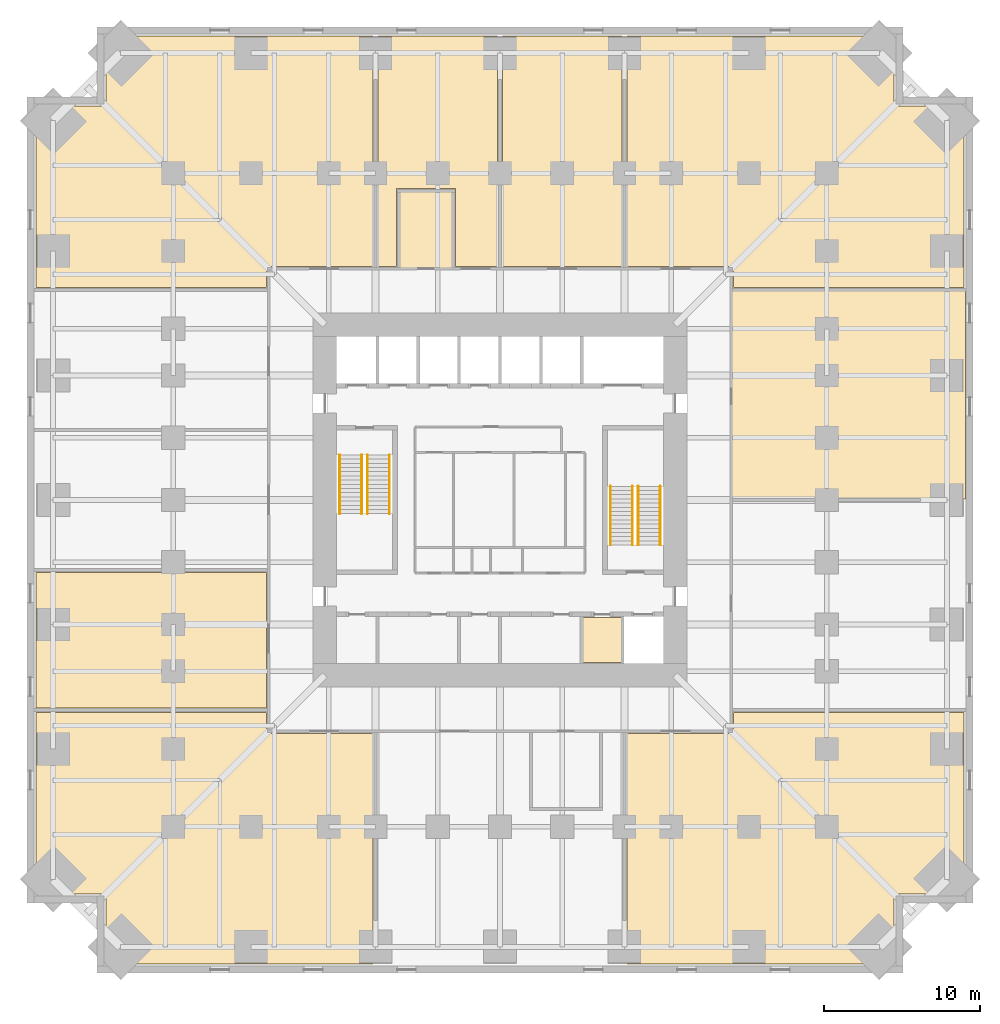
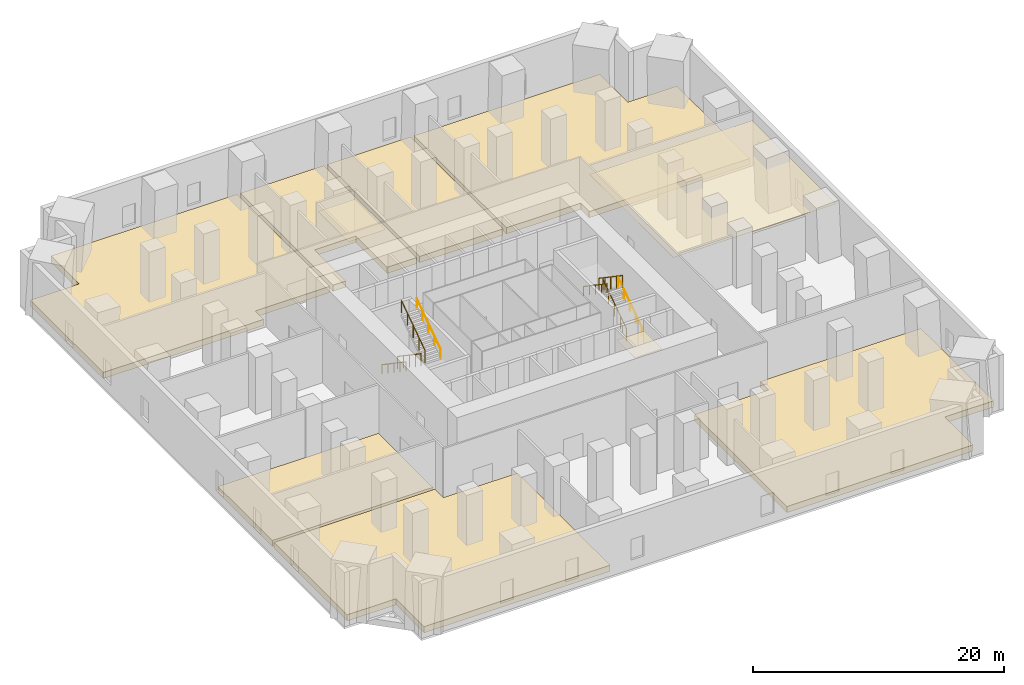
# One storey, part 8 of 8: 10 coverings, 8 railings.
"""IFC4 building model written with IfcOpenShell, lengths in metres."""

from ifc_helpers import new_model, si_unit, direction, frame, origin, origin_2d, place, context, subcontext, project, spatial, polyline, circle, outline, extrude, material, layer, layer_set, type_object, element, save


model = new_model("IFC4")

# Units and contexts
model_context = context("Model", 3, precision=1e-05, world=origin(), true_north=direction((0.0, 1.0)))
body_context = subcontext(model_context, "Body", "Model", "MODEL_VIEW")
ifc_project = project(units=[si_unit("LENGTHUNIT", "METRE"), si_unit("AREAUNIT", "SQUARE_METRE"), si_unit("VOLUMEUNIT", "CUBIC_METRE"), si_unit("PLANEANGLEUNIT", "RADIAN"), si_unit("MASSUNIT", "GRAM", prefix="KILO")], contexts=[model_context])

# Site, building, storey
site_placement = place(None, origin())
site = spatial("IfcSite", under=ifc_project, at=site_placement, CompositionType="ELEMENT")
building_placement = place(site_placement, origin())
building = spatial("IfcBuilding", under=site, at=building_placement, Name="Peilmerk Tower", CompositionType="ELEMENT")
storey_placement = place(building_placement, frame((0.0, 0.0, 54.0)))
storey = spatial("IfcBuildingStorey", under=building, at=storey_placement, Name="L10", CompositionType="ELEMENT", Elevation=54.0)

# Coverings
ifc_material_1 = material(Name="Mineral fibre ceiling tiles", Category="mineral")
ifc_layer_1 = layer(ifc_material_1, 0.02490234375)
ifc_layer_set_1 = layer_set([ifc_layer_1], Name="Mineral fibre ceiling tiles")
covering_type_1 = type_object("IfcCoveringType", Name="CL1 25 suspended ceiling", PredefinedType="CEILING", material=ifc_layer_set_1)
covering_1_placement = place(storey_placement, frame((0.0, 0.0, 4.375)))
element("IfcCovering", 1, at=covering_1_placement, inside=storey, type_object=covering_type_1, Name="Suspended ceiling Customer meeting room", PredefinedType="CEILING", context=body_context, shape_type="SweptSolid", body=[
    extrude(outline(polyline([(-3.050048828125, 14.89990234375), (-3.050048828125, 19.800048828125), (-6.449951171875, 19.800048828125), (-6.449951171875, 14.89990234375), (-3.050048828125, 14.89990234375)])), origin(), (0.0, 0.0, 1.0), 0.02490234375),
])
covering_2_placement = place(storey_placement, frame((0.0, 0.0, 4.375)))
element("IfcCovering", 2, at=covering_2_placement, inside=storey, type_object=covering_type_1, Name="Suspended ceiling LV switchboard room", PredefinedType="CEILING", context=body_context, shape_type="SweptSolid", body=[
    extrude(outline(polyline([(29.89990234375, 0.050048828125), (29.89990234375, 13.449951171875), (14.89990234375, 13.449951171875), (14.89990234375, 0.050048828125), (29.89990234375, 0.050048828125)])), origin(), (0.0, 0.0, 1.0), 0.02490234375),
])
covering_3_placement = place(storey_placement, frame((0.0, 0.0, 4.324951171875)))
element("IfcCovering", 3, at=covering_3_placement, inside=storey, type_object=covering_type_1, Name="Suspended ceiling Pantry", PredefinedType="CEILING", context=body_context, shape_type="SweptSolid", body=[
    extrude(outline(polyline([(7.823974609375, -10.448974609375), (7.823974609375, -7.551025390625), (5.301025390625, -7.551025390625), (5.301025390625, -10.448974609375), (7.823974609375, -10.448974609375)])), origin(), (0.0, 0.0, 1.0), 0.025146484375),
])

# Railings
ifc_material_2 = material(Name="Steel flat bar balustrade", Category="steel")
railing_type_1 = type_object("IfcRailingType", Name="GR1 1200 stair guard", PredefinedType="GUARDRAIL", material=ifc_material_2)
railing_1_placement = place(storey_placement, frame((-8.8798828125, 2.89990234375, 0.183349609375)))
element("IfcRailing", 4, at=railing_1_placement, inside=storey, type_object=railing_type_1, Name="Guard stair 1 L10", PredefinedType="GUARDRAIL", context=body_context, shape_type="SweptSolid", body=[
    extrude(circle(Radius=0.02392578125, at=origin_2d()), frame((0.0, 0.0, 1.17578125), z_axis=(0.0, -0.827293068839, 0.56177057439), x_axis=(1.0, 0.0, 0.0)), (0.0, 0.0, 1.0), 4.56884765625),
    extrude(circle(Radius=0.02099609375, at=origin_2d()), origin(), (0.0, 0.0, 1.0), 1.15185546875),
    extrude(circle(Radius=0.02099609375, at=origin_2d()), frame((0.0, -0.94482421875, 0.6416015625)), (0.0, 0.0, 1.0), 1.15185546875),
    extrude(circle(Radius=0.02099609375, at=origin_2d()), frame((0.0, -1.889892578125, 1.283203125)), (0.0, 0.0, 1.0), 1.15185546875),
    extrude(circle(Radius=0.02099609375, at=origin_2d()), frame((0.0, -2.8349609375, 1.925048828125)), (0.0, 0.0, 1.0), 1.15185546875),
    extrude(circle(Radius=0.02099609375, at=origin_2d()), frame((0.0, -3.77978515625, 2.566650390625)), (0.0, 0.0, 1.0), 1.15185546875),
])
for number, where, name in (
    (5, (-8.52001953125, -0.8798828125, 2.933349609375), "Guard stair 1 L10"),
    (6, (8.8798828125, -2.89990234375, 0.183349609375), "Guard stair 2 L10"),
):
    element("IfcRailing", number, at=place(storey_placement, frame(where)), inside=storey, type_object=railing_type_1, Name=name, PredefinedType="GUARDRAIL", context=body_context, shape_type="SweptSolid", body=[
        extrude(circle(Radius=0.02392578125, at=origin_2d()), frame((0.0, 0.0, 1.17578125), z_axis=(0.0, 0.827293068839, 0.56177057439), x_axis=(-1.0, 0.0, 0.0)), (0.0, 0.0, 1.0), 4.56884765625),
        extrude(circle(Radius=0.02099609375, at=origin_2d()), origin(), (0.0, 0.0, 1.0), 1.15185546875),
        extrude(circle(Radius=0.02099609375, at=origin_2d()), frame((0.0, 0.94482421875, 0.6416015625)), (0.0, 0.0, 1.0), 1.15185546875),
        extrude(circle(Radius=0.02099609375, at=origin_2d()), frame((0.0, 1.889892578125, 1.283203125)), (0.0, 0.0, 1.0), 1.15185546875),
        extrude(circle(Radius=0.02099609375, at=origin_2d()), frame((0.0, 2.8349609375, 1.925048828125)), (0.0, 0.0, 1.0), 1.15185546875),
        extrude(circle(Radius=0.02099609375, at=origin_2d()), frame((0.0, 3.77978515625, 2.566650390625)), (0.0, 0.0, 1.0), 1.15185546875),
    ])
railing_2_placement = place(storey_placement, frame((8.52001953125, 0.8798828125, 2.933349609375)))
element("IfcRailing", 7, at=railing_2_placement, inside=storey, type_object=railing_type_1, Name="Guard stair 2 L10", PredefinedType="GUARDRAIL", context=body_context, shape_type="SweptSolid", body=[
    extrude(circle(Radius=0.02392578125, at=origin_2d()), frame((0.0, 0.0, 1.17578125), z_axis=(0.0, -0.827293068839, 0.56177057439), x_axis=(1.0, 0.0, 0.0)), (0.0, 0.0, 1.0), 4.56884765625),
    extrude(circle(Radius=0.02099609375, at=origin_2d()), origin(), (0.0, 0.0, 1.0), 1.15185546875),
    extrude(circle(Radius=0.02099609375, at=origin_2d()), frame((0.0, -0.94482421875, 0.6416015625)), (0.0, 0.0, 1.0), 1.15185546875),
    extrude(circle(Radius=0.02099609375, at=origin_2d()), frame((0.0, -1.889892578125, 1.283203125)), (0.0, 0.0, 1.0), 1.15185546875),
    extrude(circle(Radius=0.02099609375, at=origin_2d()), frame((0.0, -2.8349609375, 1.925048828125)), (0.0, 0.0, 1.0), 1.15185546875),
    extrude(circle(Radius=0.02099609375, at=origin_2d()), frame((0.0, -3.77978515625, 2.566650390625)), (0.0, 0.0, 1.0), 1.15185546875),
])
ifc_material_3 = material(Name="Stainless steel tube", Category="steel")
railing_type_2 = type_object("IfcRailingType", Name="HR1 900 stair handrail", PredefinedType="HANDRAIL", material=ifc_material_3)
railing_3_placement = place(storey_placement, frame((-10.300048828125, 2.89990234375, 0.183349609375)))
element("IfcRailing", 8, at=railing_3_placement, inside=storey, type_object=railing_type_2, Name="Handrail stair 1 L10", PredefinedType="HANDRAIL", context=body_context, shape_type="SweptSolid", body=[
    extrude(circle(Radius=0.02392578125, at=origin_2d()), frame((0.0, 0.0, 0.8759765625), z_axis=(0.0, -0.827293068839, 0.56177057439), x_axis=(1.0, 0.0, 0.0)), (0.0, 0.0, 1.0), 4.56884765625),
    extrude(circle(Radius=0.02099609375, at=origin_2d()), origin(), (0.0, 0.0, 1.0), 0.851806640625),
    extrude(circle(Radius=0.02099609375, at=origin_2d()), frame((0.0, -0.94482421875, 0.6416015625)), (0.0, 0.0, 1.0), 0.851806640625),
    extrude(circle(Radius=0.02099609375, at=origin_2d()), frame((0.0, -1.889892578125, 1.283203125)), (0.0, 0.0, 1.0), 0.851806640625),
    extrude(circle(Radius=0.02099609375, at=origin_2d()), frame((0.0, -2.8349609375, 1.925048828125)), (0.0, 0.0, 1.0), 0.851806640625),
    extrude(circle(Radius=0.02099609375, at=origin_2d()), frame((0.0, -3.77978515625, 2.566650390625)), (0.0, 0.0, 1.0), 0.851806640625),
])
for number, where, name in (
    (9, (-7.10009765625, -0.8798828125, 2.933349609375), "Handrail stair 1 L10"),
    (10, (10.300048828125, -2.89990234375, 0.183349609375), "Handrail stair 2 L10"),
):
    element("IfcRailing", number, at=place(storey_placement, frame(where)), inside=storey, type_object=railing_type_2, Name=name, PredefinedType="HANDRAIL", context=body_context, shape_type="SweptSolid", body=[
        extrude(circle(Radius=0.02392578125, at=origin_2d()), frame((0.0, 0.0, 0.8759765625), z_axis=(0.0, 0.827293068839, 0.56177057439), x_axis=(-1.0, 0.0, 0.0)), (0.0, 0.0, 1.0), 4.56884765625),
        extrude(circle(Radius=0.02099609375, at=origin_2d()), origin(), (0.0, 0.0, 1.0), 0.851806640625),
        extrude(circle(Radius=0.02099609375, at=origin_2d()), frame((0.0, 0.94482421875, 0.6416015625)), (0.0, 0.0, 1.0), 0.851806640625),
        extrude(circle(Radius=0.02099609375, at=origin_2d()), frame((0.0, 1.889892578125, 1.283203125)), (0.0, 0.0, 1.0), 0.851806640625),
        extrude(circle(Radius=0.02099609375, at=origin_2d()), frame((0.0, 2.8349609375, 1.925048828125)), (0.0, 0.0, 1.0), 0.851806640625),
        extrude(circle(Radius=0.02099609375, at=origin_2d()), frame((0.0, 3.77978515625, 2.566650390625)), (0.0, 0.0, 1.0), 0.851806640625),
    ])
railing_4_placement = place(storey_placement, frame((7.10009765625, 0.8798828125, 2.933349609375)))
element("IfcRailing", 11, at=railing_4_placement, inside=storey, type_object=railing_type_2, Name="Handrail stair 2 L10", PredefinedType="HANDRAIL", context=body_context, shape_type="SweptSolid", body=[
    extrude(circle(Radius=0.02392578125, at=origin_2d()), frame((0.0, 0.0, 0.8759765625), z_axis=(0.0, -0.827293068839, 0.56177057439), x_axis=(1.0, 0.0, 0.0)), (0.0, 0.0, 1.0), 4.56884765625),
    extrude(circle(Radius=0.02099609375, at=origin_2d()), origin(), (0.0, 0.0, 1.0), 0.851806640625),
    extrude(circle(Radius=0.02099609375, at=origin_2d()), frame((0.0, -0.94482421875, 0.6416015625)), (0.0, 0.0, 1.0), 0.851806640625),
    extrude(circle(Radius=0.02099609375, at=origin_2d()), frame((0.0, -1.889892578125, 1.283203125)), (0.0, 0.0, 1.0), 0.851806640625),
    extrude(circle(Radius=0.02099609375, at=origin_2d()), frame((0.0, -2.8349609375, 1.925048828125)), (0.0, 0.0, 1.0), 0.851806640625),
    extrude(circle(Radius=0.02099609375, at=origin_2d()), frame((0.0, -3.77978515625, 2.566650390625)), (0.0, 0.0, 1.0), 0.851806640625),
])

# Coverings
ifc_material_4 = material(Name="Steel raised access floor panels on pedestals", Category="steel")
ifc_layer_2 = layer(ifc_material_4, 0.60009765625)
ifc_layer_set_2 = layer_set([ifc_layer_2], Name="Steel raised access floor panels on pedestals")
covering_type_2 = type_object("IfcCoveringType", Name="RF1 600 raised access floor", PredefinedType="FLOORING", material=ifc_layer_set_2)
covering_4_placement = place(storey_placement, origin())
element("IfcCovering", 12, at=covering_4_placement, inside=storey, type_object=covering_type_2, Name="Raised access floor Data suite A", PredefinedType="FLOORING", context=body_context, shape_type="SweptSolid", body=[
    extrude(outline(polyline([(-29.800048828125, 25.300048828125), (-29.800048828125, 13.64990234375), (-15.0, 13.64990234375), (-15.0, 15.0), (-8.14990234375, 15.0), (-8.14990234375, 29.800048828125), (-25.300048828125, 29.800048828125), (-25.300048828125, 25.300048828125), (-29.800048828125, 25.300048828125)])), origin(), (0.0, 0.0, 1.0), 0.60009765625),
])
covering_5_placement = place(storey_placement, origin())
element("IfcCovering", 13, at=covering_5_placement, inside=storey, type_object=covering_type_2, Name="Raised access floor Data suite B", PredefinedType="FLOORING", context=body_context, shape_type="SweptSolid", body=[
    extrude(outline(polyline([(-0.14990234375, 15.0), (-0.14990234375, 29.800048828125), (-7.85009765625, 29.800048828125), (-7.85009765625, 15.0), (-6.64990234375, 15.0), (-6.64990234375, 20.0), (-2.85009765625, 20.0), (-2.85009765625, 15.0), (-0.14990234375, 15.0)])), origin(), (0.0, 0.0, 1.0), 0.60009765625),
])
covering_6_placement = place(storey_placement, origin())
element("IfcCovering", 14, at=covering_6_placement, inside=storey, type_object=covering_type_2, Name="Raised access floor Data suite C", PredefinedType="FLOORING", context=body_context, shape_type="SweptSolid", body=[
    extrude(outline(polyline([(7.85009765625, 29.800048828125), (0.14990234375, 29.800048828125), (0.14990234375, 15.0), (7.85009765625, 15.0), (7.85009765625, 29.800048828125)])), origin(), (0.0, 0.0, 1.0), 0.60009765625),
])
covering_7_placement = place(storey_placement, origin())
element("IfcCovering", 15, at=covering_7_placement, inside=storey, type_object=covering_type_2, Name="Raised access floor Data suite D", PredefinedType="FLOORING", context=body_context, shape_type="SweptSolid", body=[
    extrude(outline(polyline([(25.300048828125, 29.800048828125), (8.14990234375, 29.800048828125), (8.14990234375, 15.0), (15.0, 15.0), (15.0, 13.64990234375), (29.800048828125, 13.64990234375), (29.800048828125, 25.300048828125), (25.300048828125, 25.300048828125), (25.300048828125, 29.800048828125)])), origin(), (0.0, 0.0, 1.0), 0.60009765625),
])
covering_8_placement = place(storey_placement, origin())
element("IfcCovering", 16, at=covering_8_placement, inside=storey, type_object=covering_type_2, Name="Raised access floor Data suite E", PredefinedType="FLOORING", context=body_context, shape_type="SweptSolid", body=[
    extrude(outline(polyline([(-25.300048828125, -29.800048828125), (-8.14990234375, -29.800048828125), (-8.14990234375, -15.0), (-15.0, -15.0), (-15.0, -13.64990234375), (-29.800048828125, -13.64990234375), (-29.800048828125, -25.300048828125), (-25.300048828125, -25.300048828125), (-25.300048828125, -29.800048828125)])), origin(), (0.0, 0.0, 1.0), 0.60009765625),
])
covering_9_placement = place(storey_placement, origin())
element("IfcCovering", 17, at=covering_9_placement, inside=storey, type_object=covering_type_2, Name="Raised access floor Data suite F", PredefinedType="FLOORING", context=body_context, shape_type="SweptSolid", body=[
    extrude(outline(polyline([(8.14990234375, -29.800048828125), (25.300048828125, -29.800048828125), (25.300048828125, -25.300048828125), (29.800048828125, -25.300048828125), (29.800048828125, -13.64990234375), (15.0, -13.64990234375), (15.0, -15.0), (8.14990234375, -15.0), (8.14990234375, -29.800048828125)])), origin(), (0.0, 0.0, 1.0), 0.60009765625),
])
covering_10_placement = place(storey_placement, origin())
element("IfcCovering", 18, at=covering_10_placement, inside=storey, type_object=covering_type_2, Name="Raised access floor UPS room", PredefinedType="FLOORING", context=body_context, shape_type="SweptSolid", body=[
    extrude(outline(polyline([(-29.800048828125, -4.64990234375), (-29.800048828125, -13.35009765625), (-15.0, -13.35009765625), (-15.0, -4.64990234375), (-29.800048828125, -4.64990234375)])), origin(), (0.0, 0.0, 1.0), 0.60009765625),
])

save(model, "model.ifc")
